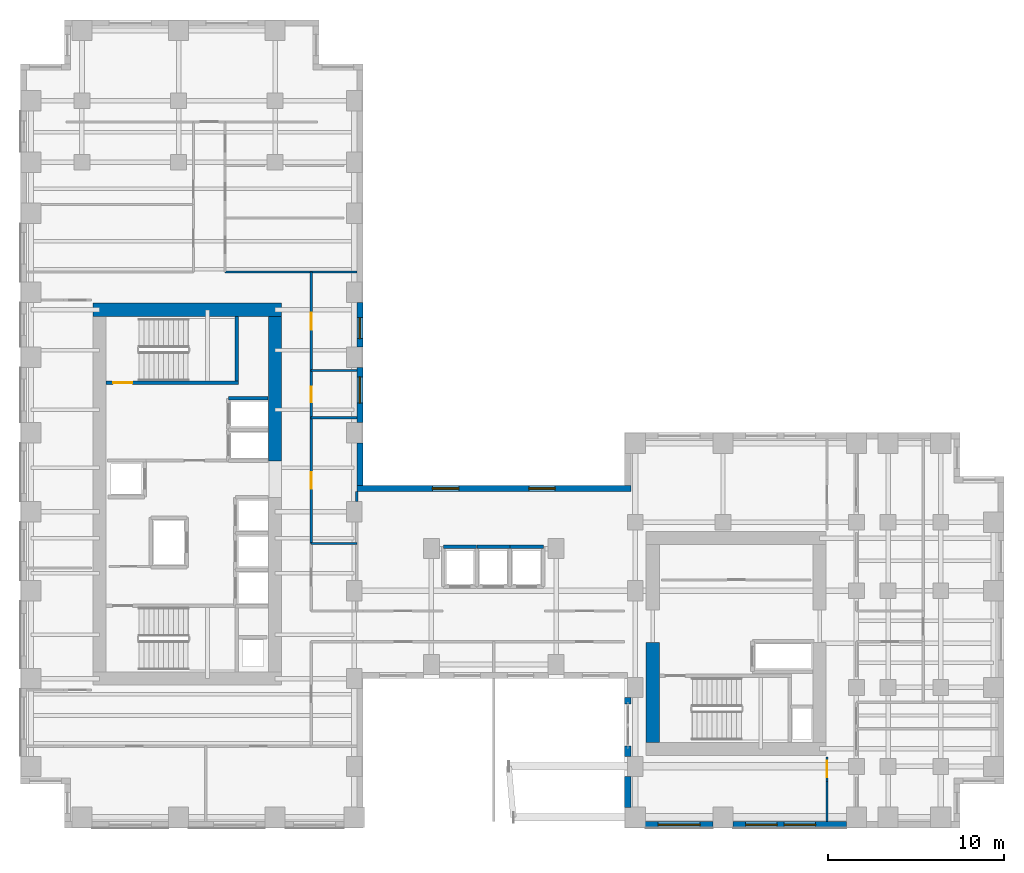
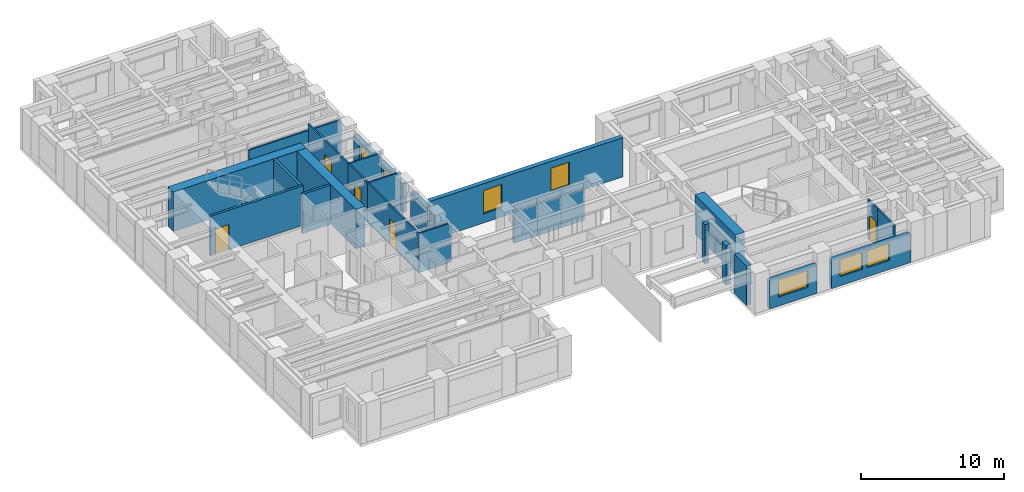
# One storey, part 9 of 14: 28 walls, 7 windows, 5 doors, 12 openings.
"""IFC4 building model written with IfcOpenShell, lengths in metres."""

from ifc_helpers import new_model, si_unit, direction, frame, frame_2d, origin, place, context, subcontext, project, spatial, rectangle, extrude, source, transform, mapped, material, layer, layer_set, type_object, element, fill, save


model = new_model("IFC4")

# Units and contexts
model_context = context("Model", 3, precision=1e-05, world=origin(), true_north=direction((0.0, 1.0)))
body_context = subcontext(model_context, "Body", "Model", "MODEL_VIEW")
ifc_project = project(units=[si_unit("LENGTHUNIT", "METRE"), si_unit("AREAUNIT", "SQUARE_METRE"), si_unit("VOLUMEUNIT", "CUBIC_METRE"), si_unit("PLANEANGLEUNIT", "RADIAN"), si_unit("MASSUNIT", "GRAM", prefix="KILO")], contexts=[model_context])

# Site, building, storey
site_placement = place(None, origin())
site = spatial("IfcSite", under=ifc_project, at=site_placement, CompositionType="ELEMENT")
building_placement = place(site_placement, origin())
building = spatial("IfcBuilding", under=site, at=building_placement, Name="Kharzan Plaza Tower", CompositionType="ELEMENT")
storey_placement = place(building_placement, frame((0.0, 0.0, 102.60009765625)))
storey = spatial("IfcBuildingStorey", under=building, at=storey_placement, Name="L27", CompositionType="ELEMENT", Elevation=102.60009765625)

# Wall, opening, window
ifc_material_1 = material(Name="Concrete C40/50", Category="concrete")
ifc_layer_1 = layer(ifc_material_1, 0.35009765625)
ifc_layer_set_1 = layer_set([ifc_layer_1], Name="Concrete C40/50")
wall_type_1 = type_object("IfcWallType", Name="WL-EXT-MAS-Z2", PredefinedType="SOLIDWALL", material=ifc_layer_set_1)
wall_1_placement = place(storey_placement, frame((19.324951171875, 23.072998046875, 0.0), z_axis=(0.0, 0.0, 1.0), x_axis=(0.0, 1.0, 0.0)))
wall_1 = element("IfcWall", 1, at=wall_1_placement, inside=storey, type_object=wall_type_1, Name="L27 Masonry-Frame Exterior Wall 02", PredefinedType="SOLIDWALL", context=body_context, shape_type="SweptSolid", body=[
    extrude(rectangle(XDim=3.154052734375, YDim=0.35009765625, at=frame_2d((1.5771484375, 0.0))), origin(), (0.0, 0.0, 1.0), 2.518798828125),
])
opening_1_placement = place(wall_1_placement, frame((1.10546875, 0.0, 0.780029296875)))
opening_1 = element("IfcOpeningElement", 2, at=opening_1_placement, cuts=wall_1, Name="Opening W5", PredefinedType="OPENING", context=body_context, shape_type="SweptSolid", body=[
    extrude(rectangle(XDim=1.5, YDim=1.55908203125, at=frame_2d((0.75, 0.779541015625))), frame((0.0, 0.18505859375, 0.0), z_axis=(0.0, -1.0, 0.0), x_axis=(1.0, 0.0, 0.0)), (0.0, 0.0, 1.0), 0.3701171875),
])
ifc_material_2 = material(Name="Low-E Double Glazing", Category="glass")
window_type_1 = type_object("IfcWindowType", Name="WN-SLT-1500x2000", PartitioningType="SINGLE_PANEL", PredefinedType="WINDOW", material=ifc_material_2)
shared_shape_1 = source(origin(), body_context, "Body", "SweptSolid", [
    extrude(rectangle(XDim=1.5, YDim=1.55908203125, at=frame_2d((0.75, 0.779541015625))), frame((0.0, 0.030029296875, 0.0), z_axis=(0.0, -1.0, 0.0), x_axis=(1.0, 0.0, 0.0)), (0.0, 0.0, 1.0), 0.06005859375),
])
window_1_placement = place(opening_1_placement, origin())
window_1 = element("IfcWindow", 3, at=window_1_placement, inside=storey, type_object=window_type_1, Name="L27 Recessed Solar-Control Window 02-1", OverallHeight=1.55908203125, OverallWidth=1.5, PartitioningType="SINGLE_PANEL", PredefinedType="WINDOW", context=body_context, shape_type="MappedRepresentation", body=[
    mapped(shared_shape_1, transform((0.0, 0.0, 0.0), x_axis=(1.0, 0.0, 0.0), y_axis=(0.0, 1.0, 0.0), z_axis=(0.0, 0.0, 1.0))),
])
fill(opening_1, window_1)

wall_2_placement = place(storey_placement, frame((19.324951171875, 27.373046875, 0.0), z_axis=(0.0, 0.0, 1.0), x_axis=(0.0, 1.0, 0.0)))
wall_2 = element("IfcWall", 4, at=wall_2_placement, inside=storey, type_object=wall_type_1, Name="L27 Masonry-Frame Exterior Wall 03", PredefinedType="SOLIDWALL", context=body_context, shape_type="SweptSolid", body=[
    extrude(rectangle(XDim=2.553955078125, YDim=0.35009765625, at=frame_2d((1.27685546875, 0.0))), origin(), (0.0, 0.0, 1.0), 2.518798828125),
])
opening_2_placement = place(wall_2_placement, frame((0.47998046875, 0.0, 0.780029296875)))
opening_2 = element("IfcOpeningElement", 5, at=opening_2_placement, cuts=wall_2, Name="Opening W3", PredefinedType="OPENING", context=body_context, shape_type="SweptSolid", body=[
    extrude(rectangle(XDim=1.199951171875, YDim=1.55908203125, at=frame_2d((0.60009765625, 0.779541015625))), frame((0.0, 0.18505859375, 0.0), z_axis=(0.0, -1.0, 0.0), x_axis=(1.0, 0.0, 0.0)), (0.0, 0.0, 1.0), 0.3701171875),
])
window_type_2 = type_object("IfcWindowType", Name="WN-REC-1200x2100", PartitioningType="SINGLE_PANEL", PredefinedType="WINDOW", material=ifc_material_2)
shared_shape_2 = source(origin(), body_context, "Body", "SweptSolid", [
    extrude(rectangle(XDim=1.199951171875, YDim=1.55908203125, at=frame_2d((0.60009765625, 0.779541015625))), frame((0.0, 0.030029296875, 0.0), z_axis=(0.0, -1.0, 0.0), x_axis=(1.0, 0.0, 0.0)), (0.0, 0.0, 1.0), 0.06005859375),
])
window_2_placement = place(opening_2_placement, origin())
window_2 = element("IfcWindow", 6, at=window_2_placement, inside=storey, type_object=window_type_2, Name="L27 Recessed Solar-Control Window 03-1", OverallHeight=1.55908203125, OverallWidth=1.199951171875, PartitioningType="SINGLE_PANEL", PredefinedType="WINDOW", context=body_context, shape_type="MappedRepresentation", body=[
    mapped(shared_shape_2, transform((0.0, 0.0, 0.0), x_axis=(1.0, 0.0, 0.0), y_axis=(0.0, 1.0, 0.0), z_axis=(0.0, 0.0, 1.0))),
])
fill(opening_2, window_2)

wall_3_placement = place(storey_placement, frame((35.572998046875, 0.175048828125, 0.0), z_axis=(0.0, 0.0, 1.0), x_axis=(1.0, 0.0, 0.0)))
wall_3 = element("IfcWall", 7, at=wall_3_placement, inside=storey, type_object=wall_type_1, Name="L27 Masonry-Frame Exterior Wall 40", PredefinedType="SOLIDWALL", context=body_context, shape_type="SweptSolid", body=[
    extrude(rectangle(XDim=3.85400390625, YDim=0.35009765625, at=frame_2d((1.927001953125, 0.0))), origin(), (0.0, 0.0, 1.0), 2.427978515625),
])
opening_3_placement = place(wall_3_placement, frame((0.72705078125, 0.0, 0.780029296875)))
opening_3 = element("IfcOpeningElement", 8, at=opening_3_placement, cuts=wall_3, Name="Opening W2", PredefinedType="OPENING", context=body_context, shape_type="SweptSolid", body=[
    extrude(rectangle(XDim=2.39990234375, YDim=1.468017578125, at=frame_2d((1.199951171875, 0.73388671875))), frame((0.0, 0.18505859375, 0.0), z_axis=(0.0, -1.0, 0.0), x_axis=(1.0, 0.0, 0.0)), (0.0, 0.0, 1.0), 0.3701171875),
])
window_type_3 = type_object("IfcWindowType", Name="WN-REC-2400x2100", PartitioningType="SINGLE_PANEL", PredefinedType="WINDOW", material=ifc_material_2)
shared_shape_3 = source(origin(), body_context, "Body", "SweptSolid", [
    extrude(rectangle(XDim=2.39990234375, YDim=1.468017578125, at=frame_2d((1.199951171875, 0.73388671875))), frame((0.0, 0.030029296875, 0.0), z_axis=(0.0, -1.0, 0.0), x_axis=(1.0, 0.0, 0.0)), (0.0, 0.0, 1.0), 0.06005859375),
])
window_3_placement = place(opening_3_placement, origin())
window_3 = element("IfcWindow", 9, at=window_3_placement, inside=storey, type_object=window_type_3, Name="L27 Wide Recessed Solar-Control Window 40-1", OverallHeight=1.468017578125, OverallWidth=2.39990234375, PartitioningType="SINGLE_PANEL", PredefinedType="WINDOW", context=body_context, shape_type="MappedRepresentation", body=[
    mapped(shared_shape_3, transform((0.0, 0.0, 0.0), x_axis=(1.0, 0.0, 0.0), y_axis=(0.0, 1.0, 0.0), z_axis=(0.0, 0.0, 1.0))),
])
fill(opening_3, window_3)

# Wall, openings, windows
wall_4_placement = place(storey_placement, frame((40.572998046875, 0.175048828125, 0.0), z_axis=(0.0, 0.0, 1.0), x_axis=(1.0, 0.0, 0.0)))
wall_4 = element("IfcWall", 10, at=wall_4_placement, inside=storey, type_object=wall_type_1, Name="L27 Masonry-Frame Exterior Wall 41", PredefinedType="SOLIDWALL", context=body_context, shape_type="SweptSolid", body=[
    extrude(rectangle(XDim=6.4541015625, YDim=0.35009765625, at=frame_2d((3.22705078125, 0.0))), origin(), (0.0, 0.0, 1.0), 2.427978515625),
])
opening_4_placement = place(wall_4_placement, frame((0.71240234375, 0.0, 0.780029296875)))
opening_4 = element("IfcOpeningElement", 11, at=opening_4_placement, cuts=wall_4, Name="Opening W1", PredefinedType="OPENING", context=body_context, shape_type="SweptSolid", body=[
    extrude(rectangle(XDim=1.800048828125, YDim=1.468017578125, at=frame_2d((0.89990234375, 0.73388671875))), frame((0.0, 0.18505859375, 0.0), z_axis=(0.0, -1.0, 0.0), x_axis=(1.0, 0.0, 0.0)), (0.0, 0.0, 1.0), 0.3701171875),
])
opening_5_placement = place(wall_4_placement, frame((2.90478515625, 0.0, 0.780029296875)))
opening_5 = element("IfcOpeningElement", 12, at=opening_5_placement, cuts=wall_4, Name="Opening W1", PredefinedType="OPENING", context=body_context, shape_type="SweptSolid", body=[
    extrude(rectangle(XDim=1.800048828125, YDim=1.468017578125, at=frame_2d((0.89990234375, 0.73388671875))), frame((0.0, 0.18505859375, 0.0), z_axis=(0.0, -1.0, 0.0), x_axis=(1.0, 0.0, 0.0)), (0.0, 0.0, 1.0), 0.3701171875),
])
window_type_4 = type_object("IfcWindowType", Name="WN-REC-1800x2100", PartitioningType="SINGLE_PANEL", PredefinedType="WINDOW", material=ifc_material_2)
shared_shape_4 = source(origin(), body_context, "Body", "SweptSolid", [
    extrude(rectangle(XDim=1.800048828125, YDim=1.468017578125, at=frame_2d((0.89990234375, 0.73388671875))), frame((0.0, 0.030029296875, 0.0), z_axis=(0.0, -1.0, 0.0), x_axis=(1.0, 0.0, 0.0)), (0.0, 0.0, 1.0), 0.06005859375),
])
window_4_placement = place(opening_4_placement, origin())
window_4 = element("IfcWindow", 13, at=window_4_placement, inside=storey, type_object=window_type_4, Name="L27 Recessed Solar-Control Window 41-1", OverallHeight=1.468017578125, OverallWidth=1.800048828125, PartitioningType="SINGLE_PANEL", PredefinedType="WINDOW", context=body_context, shape_type="MappedRepresentation", body=[
    mapped(shared_shape_4, transform((0.0, 0.0, 0.0), x_axis=(1.0, 0.0, 0.0), y_axis=(0.0, 1.0, 0.0), z_axis=(0.0, 0.0, 1.0))),
])
fill(opening_4, window_4)
window_5_placement = place(opening_5_placement, origin())
window_5 = element("IfcWindow", 14, at=window_5_placement, inside=storey, type_object=window_type_4, Name="L27 Recessed Solar-Control Window 41-2", OverallHeight=1.468017578125, OverallWidth=1.800048828125, PartitioningType="SINGLE_PANEL", PredefinedType="WINDOW", context=body_context, shape_type="MappedRepresentation", body=[
    mapped(shared_shape_4, transform((0.0, 0.0, 0.0), x_axis=(1.0, 0.0, 0.0), y_axis=(0.0, 1.0, 0.0), z_axis=(0.0, 0.0, 1.0))),
])
fill(opening_5, window_5)

wall_5_placement = place(storey_placement, frame((34.75, 19.324951171875, 0.0), z_axis=(0.0, 0.0, 1.0), x_axis=(-1.0, 0.0, 0.0)))
wall_5 = element("IfcWall", 15, at=wall_5_placement, inside=storey, type_object=wall_type_1, Name="L27 Masonry-Frame Exterior Wall 59", PredefinedType="SOLIDWALL", context=body_context, shape_type="SweptSolid", body=[
    extrude(rectangle(XDim=15.60009765625, YDim=0.35009765625, at=frame_2d((7.800048828125, 0.0))), origin(), (0.0, 0.0, 1.0), 3.364990234375),
])
opening_6_placement = place(wall_5_placement, frame((4.306640625, 0.0, 0.780029296875)))
opening_6 = element("IfcOpeningElement", 16, at=opening_6_placement, cuts=wall_5, Name="Opening W5", PredefinedType="OPENING", context=body_context, shape_type="SweptSolid", body=[
    extrude(rectangle(XDim=1.5, YDim=2.0, at=frame_2d((0.75, 1.0))), frame((0.0, 0.18505859375, 0.0), z_axis=(0.0, -1.0, 0.0), x_axis=(1.0, 0.0, 0.0)), (0.0, 0.0, 1.0), 0.3701171875),
])
opening_7_placement = place(wall_5_placement, frame((9.793212890625, 0.0, 0.780029296875)))
opening_7 = element("IfcOpeningElement", 17, at=opening_7_placement, cuts=wall_5, Name="Opening W5", PredefinedType="OPENING", context=body_context, shape_type="SweptSolid", body=[
    extrude(rectangle(XDim=1.5, YDim=2.0, at=frame_2d((0.75, 1.0))), frame((0.0, 0.18505859375, 0.0), z_axis=(0.0, -1.0, 0.0), x_axis=(1.0, 0.0, 0.0)), (0.0, 0.0, 1.0), 0.3701171875),
])
shared_shape_5 = source(origin(), body_context, "Body", "SweptSolid", [
    extrude(rectangle(XDim=1.5, YDim=2.0, at=frame_2d((0.75, 1.0))), frame((0.0, 0.030029296875, 0.0), z_axis=(0.0, -1.0, 0.0), x_axis=(1.0, 0.0, 0.0)), (0.0, 0.0, 1.0), 0.06005859375),
])
window_6_placement = place(opening_6_placement, origin())
window_6 = element("IfcWindow", 18, at=window_6_placement, inside=storey, type_object=window_type_1, Name="L27 Recessed Solar-Control Window 59-1", OverallHeight=2.0, OverallWidth=1.5, PartitioningType="SINGLE_PANEL", PredefinedType="WINDOW", context=body_context, shape_type="MappedRepresentation", body=[
    mapped(shared_shape_5, transform((0.0, 0.0, 0.0), x_axis=(1.0, 0.0, 0.0), y_axis=(0.0, 1.0, 0.0), z_axis=(0.0, 0.0, 1.0))),
])
fill(opening_6, window_6)
window_7_placement = place(opening_7_placement, origin())
window_7 = element("IfcWindow", 19, at=window_7_placement, inside=storey, type_object=window_type_1, Name="L27 Recessed Solar-Control Window 59-2", OverallHeight=2.0, OverallWidth=1.5, PartitioningType="SINGLE_PANEL", PredefinedType="WINDOW", context=body_context, shape_type="MappedRepresentation", body=[
    mapped(shared_shape_5, transform((0.0, 0.0, 0.0), x_axis=(1.0, 0.0, 0.0), y_axis=(0.0, 1.0, 0.0), z_axis=(0.0, 0.0, 1.0))),
])
fill(opening_7, window_7)

# Wall, opening, door
ifc_material_3 = material(Name="Fire-Rated Gypsum Board Partition", Category="gypsum")
ifc_layer_2 = layer(ifc_material_3, 0.125)
ifc_layer_set_2 = layer_set([ifc_layer_2], Name="Fire-Rated Gypsum Board Partition")
wall_type_2 = type_object("IfcWallType", Name="WL-INT-PART-125", PredefinedType="PARTITIONING", material=ifc_layer_set_2)
wall_6_placement = place(storey_placement, frame((16.550048828125, 16.199951171875, 0.0), z_axis=(0.0, 0.0, 1.0), x_axis=(0.0, 1.0, 0.0)))
wall_6 = element("IfcWall", 20, at=wall_6_placement, inside=storey, type_object=wall_type_2, Name="L27 Interior Partition SH-AEWN2", PredefinedType="PARTITIONING", context=body_context, shape_type="SweptSolid", body=[
    extrude(rectangle(XDim=7.150146484375, YDim=0.125, at=frame_2d((3.5751953125, 0.0))), origin(), (0.0, 0.0, 1.0), 3.364990234375),
])
opening_8_placement = place(wall_6_placement, frame((3.10009765625, 0.0, 0.0)))
opening_8 = element("IfcOpeningElement", 21, at=opening_8_placement, cuts=wall_6, Name="Opening OD1", PredefinedType="OPENING", context=body_context, shape_type="SweptSolid", body=[
    extrude(rectangle(XDim=0.949951171875, YDim=2.14990234375, at=frame_2d((0.47509765625, 1.074951171875))), frame((0.0, 0.072509765625, 0.0), z_axis=(0.0, -1.0, 0.0), x_axis=(1.0, 0.0, 0.0)), (0.0, 0.0, 1.0), 0.14501953125),
])
ifc_material_4 = material(Name="Acoustic Solid-Core Stained Oak", Category="timber")
door_type_1 = type_object("IfcDoorType", Name="DR-OFF-SINGLE", OperationType="NOTDEFINED", PredefinedType="DOOR", material=ifc_material_4)
shared_shape_6 = source(origin(), body_context, "Body", "SweptSolid", [
    extrude(rectangle(XDim=0.949951171875, YDim=2.14990234375, at=frame_2d((0.47509765625, 1.074951171875))), frame((0.0, 0.02490234375, 0.0), z_axis=(0.0, -1.0, 0.0), x_axis=(1.0, 0.0, 0.0)), (0.0, 0.0, 1.0), 0.050048828125),
])
door_1_placement = place(opening_8_placement, origin())
door_1 = element("IfcDoor", 22, at=door_1_placement, inside=storey, type_object=door_type_1, Name="L27 Slot Studio Door", OperationType="SINGLE_SWING_LEFT", OverallHeight=2.14990234375, OverallWidth=0.949951171875, PredefinedType="DOOR", context=body_context, shape_type="MappedRepresentation", body=[
    mapped(shared_shape_6, transform((0.0, 0.0, 0.0), x_axis=(1.0, 0.0, 0.0), y_axis=(0.0, 1.0, 0.0), z_axis=(0.0, 0.0, 1.0))),
])
fill(opening_8, door_1)

wall_7_placement = place(storey_placement, frame((16.550048828125, 26.050048828125, 0.0), z_axis=(0.0, 0.0, 1.0), x_axis=(0.0, 1.0, 0.0)))
wall_7 = element("IfcWall", 23, at=wall_7_placement, inside=storey, type_object=wall_type_2, Name="L27 Interior Partition SH-AEWN3", PredefinedType="PARTITIONING", context=body_context, shape_type="SweptSolid", body=[
    extrude(rectangle(XDim=5.599853515625, YDim=0.125, at=frame_2d((2.7998046875, 0.0))), origin(), (0.0, 0.0, 1.0), 3.364990234375),
])
opening_9_placement = place(wall_7_placement, frame((2.324951171875, 0.0, 0.0)))
opening_9 = element("IfcOpeningElement", 24, at=opening_9_placement, cuts=wall_7, Name="Opening OD1", PredefinedType="OPENING", context=body_context, shape_type="SweptSolid", body=[
    extrude(rectangle(XDim=0.949951171875, YDim=2.14990234375, at=frame_2d((0.47509765625, 1.074951171875))), frame((0.0, 0.072509765625, 0.0), z_axis=(0.0, -1.0, 0.0), x_axis=(1.0, 0.0, 0.0)), (0.0, 0.0, 1.0), 0.14501953125),
])
door_2_placement = place(opening_9_placement, origin())
door_2 = element("IfcDoor", 25, at=door_2_placement, inside=storey, type_object=door_type_1, Name="L27 Staff Tea Point Door", OperationType="SINGLE_SWING_LEFT", OverallHeight=2.14990234375, OverallWidth=0.949951171875, PredefinedType="DOOR", context=body_context, shape_type="MappedRepresentation", body=[
    mapped(shared_shape_6, transform((0.0, 0.0, 0.0), x_axis=(1.0, 0.0, 0.0), y_axis=(0.0, 1.0, 0.0), z_axis=(0.0, 0.0, 1.0))),
])
fill(opening_9, door_2)

wall_8_placement = place(storey_placement, frame((16.550048828125, 23.35009765625, 0.0), z_axis=(0.0, 0.0, 1.0), x_axis=(0.0, 1.0, 0.0)))
wall_8 = element("IfcWall", 26, at=wall_8_placement, inside=storey, type_object=wall_type_2, Name="L27 Interior Partition SH-AEWW", PredefinedType="PARTITIONING", context=body_context, shape_type="SweptSolid", body=[
    extrude(rectangle(XDim=2.699951171875, YDim=0.125, at=frame_2d((1.35009765625, 0.0))), origin(), (0.0, 0.0, 1.0), 3.364990234375),
])
opening_10_placement = place(wall_8_placement, frame((0.875, 0.0, 0.0)))
opening_10 = element("IfcOpeningElement", 27, at=opening_10_placement, cuts=wall_8, Name="Opening WD1", PredefinedType="OPENING", context=body_context, shape_type="SweptSolid", body=[
    extrude(rectangle(XDim=0.89990234375, YDim=2.14990234375, at=frame_2d((0.449951171875, 1.074951171875))), frame((0.0, 0.072509765625, 0.0), z_axis=(0.0, -1.0, 0.0), x_axis=(1.0, 0.0, 0.0)), (0.0, 0.0, 1.0), 0.14501953125),
])
ifc_material_5 = material(Name="Moisture-Resistant Fire-Rated Laminate", Category="timber")
door_type_2 = type_object("IfcDoorType", Name="DR-WC-900", OperationType="NOTDEFINED", PredefinedType="DOOR", material=ifc_material_5)
shared_shape_7 = source(origin(), body_context, "Body", "SweptSolid", [
    extrude(rectangle(XDim=0.89990234375, YDim=2.14990234375, at=frame_2d((0.449951171875, 1.074951171875))), frame((0.0, 0.02490234375, 0.0), z_axis=(0.0, -1.0, 0.0), x_axis=(1.0, 0.0, 0.0)), (0.0, 0.0, 1.0), 0.050048828125),
])
door_3_placement = place(opening_10_placement, origin())
door_3 = element("IfcDoor", 28, at=door_3_placement, inside=storey, type_object=door_type_2, Name="L27 Wing A Washroom Door", OperationType="SINGLE_SWING_RIGHT", OverallHeight=2.14990234375, OverallWidth=0.89990234375, PredefinedType="DOOR", context=body_context, shape_type="MappedRepresentation", body=[
    mapped(shared_shape_7, transform((0.0, 0.0, 0.0), x_axis=(1.0, 0.0, 0.0), y_axis=(0.0, 1.0, 0.0), z_axis=(0.0, 0.0, 1.0))),
])
fill(opening_10, door_3)

wall_9_placement = place(storey_placement, frame((45.919921875, 2.64990234375, 0.0), z_axis=(0.0, 0.0, 1.0), x_axis=(0.0, 1.0, 0.0)))
wall_9 = element("IfcWall", 29, at=wall_9_placement, inside=storey, type_object=wall_type_2, Name="L27 Interior Partition SH-RBSE", PredefinedType="PARTITIONING", context=body_context, shape_type="SweptSolid", body=[
    extrude(rectangle(XDim=1.400146484375, YDim=0.125, at=frame_2d((0.7001953125, 0.0))), origin(), (0.0, 0.0, 1.0), 3.364990234375),
])
opening_11_placement = place(wall_9_placement, frame((0.22509765625, 0.0, 0.0)))
opening_11 = element("IfcOpeningElement", 30, at=opening_11_placement, cuts=wall_9, Name="Opening OD1", PredefinedType="OPENING", context=body_context, shape_type="SweptSolid", body=[
    extrude(rectangle(XDim=0.949951171875, YDim=2.14990234375, at=frame_2d((0.47509765625, 1.074951171875))), frame((0.0, 0.072509765625, 0.0), z_axis=(0.0, -1.0, 0.0), x_axis=(1.0, 0.0, 0.0)), (0.0, 0.0, 1.0), 0.14501953125),
])
door_4_placement = place(opening_11_placement, origin())
door_4 = element("IfcDoor", 31, at=door_4_placement, inside=storey, type_object=door_type_1, Name="L27 South-East Corner Office Door", OperationType="SINGLE_SWING_RIGHT", OverallHeight=2.14990234375, OverallWidth=0.949951171875, PredefinedType="DOOR", context=body_context, shape_type="MappedRepresentation", body=[
    mapped(shared_shape_6, transform((0.0, 0.0, 0.0), x_axis=(1.0, 0.0, 0.0), y_axis=(0.0, 1.0, 0.0), z_axis=(0.0, 0.0, 1.0))),
])
fill(opening_11, door_4)

ifc_material_6 = material(Name="Concrete C50/60", Category="concrete")
ifc_layer_3 = layer(ifc_material_6, 0.199951171875)
ifc_layer_set_3 = layer_set([ifc_layer_3], Name="Concrete C50/60")
wall_type_3 = type_object("IfcWallType", Name="WL-SHAFT-RC200", PredefinedType="SHEAR", material=ifc_layer_set_3)
wall_10_placement = place(storey_placement, frame((4.876953125, 25.344970703125, 0.0), z_axis=(0.0, 0.0, 1.0), x_axis=(1.0, 0.0, 0.0)))
wall_10 = element("IfcWall", 32, at=wall_10_placement, inside=storey, type_object=wall_type_3, Name="L27 Stair ST-2 South RC Shaft Wall", PredefinedType="SHEAR", context=body_context, shape_type="SweptSolid", body=[
    extrude(rectangle(XDim=7.528076171875, YDim=0.199951171875, at=frame_2d((3.76416015625, 0.0))), origin(), (0.0, 0.0, 1.0), 3.3798828125),
])
opening_12_placement = place(wall_10_placement, frame((0.39990234375, 0.0, 0.0)))
opening_12 = element("IfcOpeningElement", 33, at=opening_12_placement, cuts=wall_10, Name="Opening SD1", PredefinedType="OPENING", context=body_context, shape_type="SweptSolid", body=[
    extrude(rectangle(XDim=1.10009765625, YDim=2.14990234375, at=frame_2d((0.550048828125, 1.074951171875))), frame((0.0, 0.10986328125, 0.0), z_axis=(0.0, -1.0, 0.0), x_axis=(1.0, 0.0, 0.0)), (0.0, 0.0, 1.0), 0.219970703125),
])
ifc_material_7 = material(Name="Fire-Rated Hollow Galvanized Steel", Category="steel")
door_type_3 = type_object("IfcDoorType", Name="DR-STAIR-FD120", OperationType="NOTDEFINED", PredefinedType="DOOR", material=ifc_material_7)
shared_shape_8 = source(origin(), body_context, "Body", "SweptSolid", [
    extrude(rectangle(XDim=1.10009765625, YDim=2.14990234375, at=frame_2d((0.550048828125, 1.074951171875))), frame((0.0, 0.02490234375, 0.0), z_axis=(0.0, -1.0, 0.0), x_axis=(1.0, 0.0, 0.0)), (0.0, 0.0, 1.0), 0.050048828125),
])
door_5_placement = place(opening_12_placement, origin())
door_5 = element("IfcDoor", 34, at=door_5_placement, inside=storey, type_object=door_type_3, Name="L27 Stair ST-2 Fire Exit Door", OperationType="SINGLE_SWING_RIGHT", OverallHeight=2.14990234375, OverallWidth=1.10009765625, PredefinedType="DOOR", context=body_context, shape_type="MappedRepresentation", body=[
    mapped(shared_shape_8, transform((0.0, 0.0, 0.0), x_axis=(1.0, 0.0, 0.0), y_axis=(0.0, 1.0, 0.0), z_axis=(0.0, 0.0, 1.0))),
])
fill(opening_12, door_5)

# Walls
shared_shape_9 = source(origin(), body_context, "Body", "SweptSolid", [
    extrude(rectangle(XDim=2.597900390625, YDim=0.125, at=frame_2d((1.298828125, 0.0))), origin(), (0.0, 0.0, 1.0), 3.364990234375),
])
for number, where, z_axis, x_axis, name in (
    (35, (16.550048828125, 23.35009765625, 0.0), (0.0, 0.0, 1.0), (1.0, 0.0, 0.0), "L27 Interior Partition SH-AEH-233"),
    (36, (16.550048828125, 26.050048828125, 0.0), (0.0, 0.0, 1.0), (1.0, 0.0, 0.0), "L27 Interior Partition SH-AEH-260"),
):
    element("IfcWall", number, at=place(storey_placement, frame(where, z_axis=z_axis, x_axis=x_axis)), inside=storey, type_object=wall_type_2, Name=name, PredefinedType="PARTITIONING", context=body_context, shape_type="MappedRepresentation", body=[
        mapped(shared_shape_9, transform((0.0, 0.0, 0.0), x_axis=(1.0, 0.0, 0.0), y_axis=(0.0, 1.0, 0.0), z_axis=(0.0, 0.0, 1.0))),
    ])
shared_shape_10 = source(origin(), body_context, "Body", "SweptSolid", [
    extrude(rectangle(XDim=2.2978515625, YDim=0.125, at=frame_2d((1.14892578125, 0.0))), origin(), (0.0, 0.0, 1.0), 3.364990234375),
])
wall_11_placement = place(storey_placement, frame((45.919921875, 0.35205078125, 0.0), z_axis=(0.0, 0.0, 1.0), x_axis=(0.0, 1.0, 0.0)))
element("IfcWall", 37, at=wall_11_placement, inside=storey, type_object=wall_type_2, Name="L27 Interior Partition SH-RBSE0", PredefinedType="PARTITIONING", context=body_context, shape_type="MappedRepresentation", body=[
    mapped(shared_shape_10, transform((0.0, 0.0, 0.0), x_axis=(1.0, 0.0, 0.0), y_axis=(0.0, 1.0, 0.0), z_axis=(0.0, 0.0, 1.0))),
])
shared_shape_11 = source(origin(), body_context, "Body", "SweptSolid", [
    extrude(rectangle(XDim=2.599853515625, YDim=0.125, at=frame_2d((1.2998046875, 0.0))), origin(), (0.0, 0.0, 1.0), 3.364990234375),
])
wall_12_placement = place(storey_placement, frame((16.550048828125, 16.199951171875, 0.0), z_axis=(0.0, 0.0, 1.0), x_axis=(1.0, 0.0, 0.0)))
element("IfcWall", 38, at=wall_12_placement, inside=storey, type_object=wall_type_2, Name="L27 Interior Partition SH-AEH-162", PredefinedType="PARTITIONING", context=body_context, shape_type="MappedRepresentation", body=[
    mapped(shared_shape_11, transform((0.0, 0.0, 0.0), x_axis=(1.0, 0.0, 0.0), y_axis=(0.0, 1.0, 0.0), z_axis=(0.0, 0.0, 1.0))),
])
shared_shape_12 = source(origin(), body_context, "Body", "SweptSolid", [
    extrude(rectangle(XDim=7.498046875, YDim=0.125, at=frame_2d((3.7490234375, 0.0))), origin(), (0.0, 0.0, 1.0), 2.827880859375),
])
wall_13_placement = place(storey_placement, frame((11.64990234375, 31.64990234375, 0.0), z_axis=(0.0, 0.0, 1.0), x_axis=(1.0, 0.0, 0.0)))
element("IfcWall", 39, at=wall_13_placement, inside=storey, type_object=wall_type_2, Name="L27 Interior Partition SH-NNE", PredefinedType="PARTITIONING", context=body_context, shape_type="MappedRepresentation", body=[
    mapped(shared_shape_12, transform((0.0, 0.0, 0.0), x_axis=(1.0, 0.0, 0.0), y_axis=(0.0, 1.0, 0.0), z_axis=(0.0, 0.0, 1.0))),
])
shared_shape_13 = source(origin(), body_context, "Body", "SweptSolid", [
    extrude(rectangle(XDim=1.75390625, YDim=0.35009765625, at=frame_2d((0.876953125, 0.0))), origin(), (0.0, 0.0, 1.0), 3.364990234375),
])
wall_14_placement = place(storey_placement, frame((34.574951171875, 2.927001953125, 0.0), z_axis=(0.0, 0.0, 1.0), x_axis=(0.0, -1.0, 0.0)))
element("IfcWall", 40, at=wall_14_placement, inside=storey, type_object=wall_type_1, Name="L27 Masonry-Frame Exterior Wall 39", PredefinedType="SOLIDWALL", context=body_context, shape_type="MappedRepresentation", body=[
    mapped(shared_shape_13, transform((0.0, 0.0, 0.0), x_axis=(1.0, 0.0, 0.0), y_axis=(0.0, 1.0, 0.0), z_axis=(0.0, 0.0, 1.0))),
])
shared_shape_14 = source(origin(), body_context, "Body", "SweptSolid", [
    extrude(rectangle(XDim=0.376953125, YDim=0.35009765625, at=frame_2d((0.1884765625, 0.0))), origin(), (0.0, 0.0, 1.0), 3.364990234375),
])
wall_15_placement = place(storey_placement, frame((34.574951171875, 7.427001953125, 0.0), z_axis=(0.0, 0.0, 1.0), x_axis=(0.0, -1.0, 0.0)))
element("IfcWall", 41, at=wall_15_placement, inside=storey, type_object=wall_type_1, Name="L27 Masonry-Frame Exterior Wall 37", PredefinedType="SOLIDWALL", context=body_context, shape_type="MappedRepresentation", body=[
    mapped(shared_shape_14, transform((0.0, 0.0, 0.0), x_axis=(1.0, 0.0, 0.0), y_axis=(0.0, 1.0, 0.0), z_axis=(0.0, 0.0, 1.0))),
])
ifc_layer_4 = layer(ifc_material_1, 0.199951171875)
ifc_layer_set_4 = layer_set([ifc_layer_4], Name="Concrete C40/50")
wall_type_4 = type_object("IfcWallType", Name="WL-INT-SHAFT-200", PredefinedType="PARTITIONING", material=ifc_layer_set_4)
shared_shape_15 = source(origin(), body_context, "Body", "SweptSolid", [
    extrude(rectangle(XDim=2.264892578125, YDim=0.199951171875, at=frame_2d((1.13232421875, 0.0))), origin(), (0.0, 0.0, 1.0), 3.364990234375),
])
wall_16_placement = place(storey_placement, frame((11.830078125, 24.4599609375, 0.0), z_axis=(0.0, 0.0, 1.0), x_axis=(1.0, 0.0, 0.0)))
element("IfcWall", 42, at=wall_16_placement, inside=storey, type_object=wall_type_4, Name="L27 Interior Partition SHF-FFL-2-N", PredefinedType="PARTITIONING", context=body_context, shape_type="MappedRepresentation", body=[
    mapped(shared_shape_15, transform((0.0, 0.0, 0.0), x_axis=(1.0, 0.0, 0.0), y_axis=(0.0, 1.0, 0.0), z_axis=(0.0, 0.0, 1.0))),
])
shared_shape_16 = source(origin(), body_context, "Body", "SweptSolid", [
    extrude(rectangle(XDim=1.889892578125, YDim=0.199951171875, at=frame_2d((0.94482421875, 0.0))), origin(), (0.0, 0.0, 1.0), 2.677001953125),
])
wall_17_placement = place(storey_placement, frame((24.080078125, 16.02001953125, 0.0), z_axis=(0.0, 0.0, 1.0), x_axis=(1.0, 0.0, 0.0)))
element("IfcWall", 43, at=wall_17_placement, inside=storey, type_object=wall_type_4, Name="L27 Interior Partition SHF-PL-M1-N", PredefinedType="PARTITIONING", context=body_context, shape_type="MappedRepresentation", body=[
    mapped(shared_shape_16, transform((0.0, 0.0, 0.0), x_axis=(1.0, 0.0, 0.0), y_axis=(0.0, 1.0, 0.0), z_axis=(0.0, 0.0, 1.0))),
])
shared_shape_17 = source(origin(), body_context, "Body", "SweptSolid", [
    extrude(rectangle(XDim=1.89013671875, YDim=0.199951171875, at=frame_2d((0.945068359375, 0.0))), origin(), (0.0, 0.0, 1.0), 2.677001953125),
])
for number, where, z_axis, x_axis, name in (
    (44, (25.97998046875, 16.02001953125, 0.0), (0.0, 0.0, 1.0), (1.0, 0.0, 0.0), "L27 Interior Partition SHF-PL-M2-N"),
    (45, (27.8798828125, 16.02001953125, 0.0), (0.0, 0.0, 1.0), (1.0, 0.0, 0.0), "L27 Interior Partition SHF-PL-M3-N"),
):
    element("IfcWall", number, at=place(storey_placement, frame(where, z_axis=z_axis, x_axis=x_axis)), inside=storey, type_object=wall_type_4, Name=name, PredefinedType="PARTITIONING", context=body_context, shape_type="MappedRepresentation", body=[
        mapped(shared_shape_17, transform((0.0, 0.0, 0.0), x_axis=(1.0, 0.0, 0.0), y_axis=(0.0, 1.0, 0.0), z_axis=(0.0, 0.0, 1.0))),
    ])
ifc_material_8 = material(Name="Concrete C60/75", Category="concrete")
ifc_layer_5 = layer(ifc_material_8, 0.75)
ifc_layer_set_5 = layer_set([ifc_layer_5], Name="Concrete C60/75")
wall_type_5 = type_object("IfcWallType", Name="WL-CORE-750", PredefinedType="SHEAR", material=ifc_layer_set_5)
shared_shape_18 = source(origin(), body_context, "Body", "SweptSolid", [
    extrude(rectangle(XDim=8.2451171875, YDim=0.75, at=frame_2d((4.12255859375, 0.0))), origin(), (0.0, 0.0, 1.0), 3.3798828125),
])
wall_18_placement = place(storey_placement, frame((14.5, 20.8798828125, 0.0), z_axis=(0.0, 0.0, 1.0), x_axis=(0.0, 1.0, 0.0)))
element("IfcWall", 46, at=wall_18_placement, inside=storey, type_object=wall_type_5, Name="L27 CORE-A east shear pier 2", PredefinedType="SHEAR", context=body_context, shape_type="MappedRepresentation", body=[
    mapped(shared_shape_18, transform((0.0, 0.0, 0.0), x_axis=(1.0, 0.0, 0.0), y_axis=(0.0, 1.0, 0.0), z_axis=(0.0, 0.0, 1.0))),
])
shared_shape_19 = source(origin(), body_context, "Body", "SweptSolid", [
    extrude(rectangle(XDim=10.75, YDim=0.75, at=frame_2d((5.375, 0.0))), origin(), (0.0, 0.0, 1.0), 3.3798828125),
])
wall_19_placement = place(storey_placement, frame((4.125, 29.5, 0.0), z_axis=(0.0, 0.0, 1.0), x_axis=(1.0, 0.0, 0.0)))
element("IfcWall", 47, at=wall_19_placement, inside=storey, type_object=wall_type_5, Name="L27 CORE-A north RC shear wall", PredefinedType="SHEAR", context=body_context, shape_type="MappedRepresentation", body=[
    mapped(shared_shape_19, transform((0.0, 0.0, 0.0), x_axis=(1.0, 0.0, 0.0), y_axis=(0.0, 1.0, 0.0), z_axis=(0.0, 0.0, 1.0))),
])
shared_shape_20 = source(origin(), body_context, "Body", "SweptSolid", [
    extrude(rectangle(XDim=5.675048828125, YDim=0.75, at=frame_2d((2.83740234375, 0.0))), origin(), (0.0, 0.0, 1.0), 3.3798828125),
])
wall_20_placement = place(storey_placement, frame((36.0, 4.875, 0.0), z_axis=(0.0, 0.0, 1.0), x_axis=(0.0, 1.0, 0.0)))
element("IfcWall", 48, at=wall_20_placement, inside=storey, type_object=wall_type_5, Name="L27 CORE-B west shear pier 1", PredefinedType="SHEAR", context=body_context, shape_type="MappedRepresentation", body=[
    mapped(shared_shape_20, transform((0.0, 0.0, 0.0), x_axis=(1.0, 0.0, 0.0), y_axis=(0.0, 1.0, 0.0), z_axis=(0.0, 0.0, 1.0))),
])
shared_shape_21 = source(origin(), body_context, "Body", "SweptSolid", [
    extrude(rectangle(XDim=3.677978515625, YDim=0.199951171875, at=frame_2d((1.8388671875, 0.0))), origin(), (0.0, 0.0, 1.0), 3.3798828125),
])
wall_21_placement = place(storey_placement, frame((12.304931640625, 25.445068359375, 0.0), z_axis=(0.0, 0.0, 1.0), x_axis=(0.0, 1.0, 0.0)))
element("IfcWall", 49, at=wall_21_placement, inside=storey, type_object=wall_type_3, Name="L27 Stair ST-2 East RC Shaft Wall", PredefinedType="SHEAR", context=body_context, shape_type="MappedRepresentation", body=[
    mapped(shared_shape_21, transform((0.0, 0.0, 0.0), x_axis=(1.0, 0.0, 0.0), y_axis=(0.0, 1.0, 0.0), z_axis=(0.0, 0.0, 1.0))),
])
shared_shape_22 = source(origin(), body_context, "Body", "SweptSolid", [
    extrude(rectangle(XDim=0.576904296875, YDim=0.35009765625, at=frame_2d((0.28857421875, 0.0))), origin(), (0.0, 0.0, 1.0), 3.364990234375),
])
wall_22_placement = place(storey_placement, frame((34.574951171875, 4.64990234375, 0.0), z_axis=(0.0, 0.0, 1.0), x_axis=(0.0, -1.0, 0.0)))
element("IfcWall", 50, at=wall_22_placement, inside=storey, type_object=wall_type_1, Name="L27 Masonry-Frame Exterior Wall 38", PredefinedType="SOLIDWALL", context=body_context, shape_type="MappedRepresentation", body=[
    mapped(shared_shape_22, transform((0.0, 0.0, 0.0), x_axis=(1.0, 0.0, 0.0), y_axis=(0.0, 1.0, 0.0), z_axis=(0.0, 0.0, 1.0))),
])
shared_shape_23 = source(origin(), body_context, "Body", "SweptSolid", [
    extrude(rectangle(XDim=2.428955078125, YDim=0.35009765625, at=frame_2d((1.21435546875, 0.0))), origin(), (0.0, 0.0, 1.0), 2.518798828125),
])
wall_23_placement = place(storey_placement, frame((19.324951171875, 19.498046875, 0.0), z_axis=(0.0, 0.0, 1.0), x_axis=(0.0, 1.0, 0.0)))
element("IfcWall", 51, at=wall_23_placement, inside=storey, type_object=wall_type_1, Name="L27 Masonry-Frame Exterior Wall 01", PredefinedType="SOLIDWALL", context=body_context, shape_type="MappedRepresentation", body=[
    mapped(shared_shape_23, transform((0.0, 0.0, 0.0), x_axis=(1.0, 0.0, 0.0), y_axis=(0.0, 1.0, 0.0), z_axis=(0.0, 0.0, 1.0))),
])
shared_shape_24 = source(origin(), body_context, "Body", "SweptSolid", [
    extrude(rectangle(XDim=0.557861328125, YDim=0.125, at=frame_2d((0.27880859375, 0.0))), origin(), (0.0, 0.0, 1.0), 2.518798828125),
])
wall_24_placement = place(storey_placement, frame((19.14990234375, 18.590087890625, 0.0), z_axis=(0.0, 0.0, 1.0), x_axis=(0.0, 1.0, 0.0)))
element("IfcWall", 52, at=wall_24_placement, inside=storey, type_object=wall_type_2, Name="L27 Interior Partition SH-AEN-DIV-S3", PredefinedType="PARTITIONING", context=body_context, shape_type="MappedRepresentation", body=[
    mapped(shared_shape_24, transform((0.0, 0.0, 0.0), x_axis=(1.0, 0.0, 0.0), y_axis=(0.0, 1.0, 0.0), z_axis=(0.0, 0.0, 1.0))),
])

save(model, "model.ifc")
